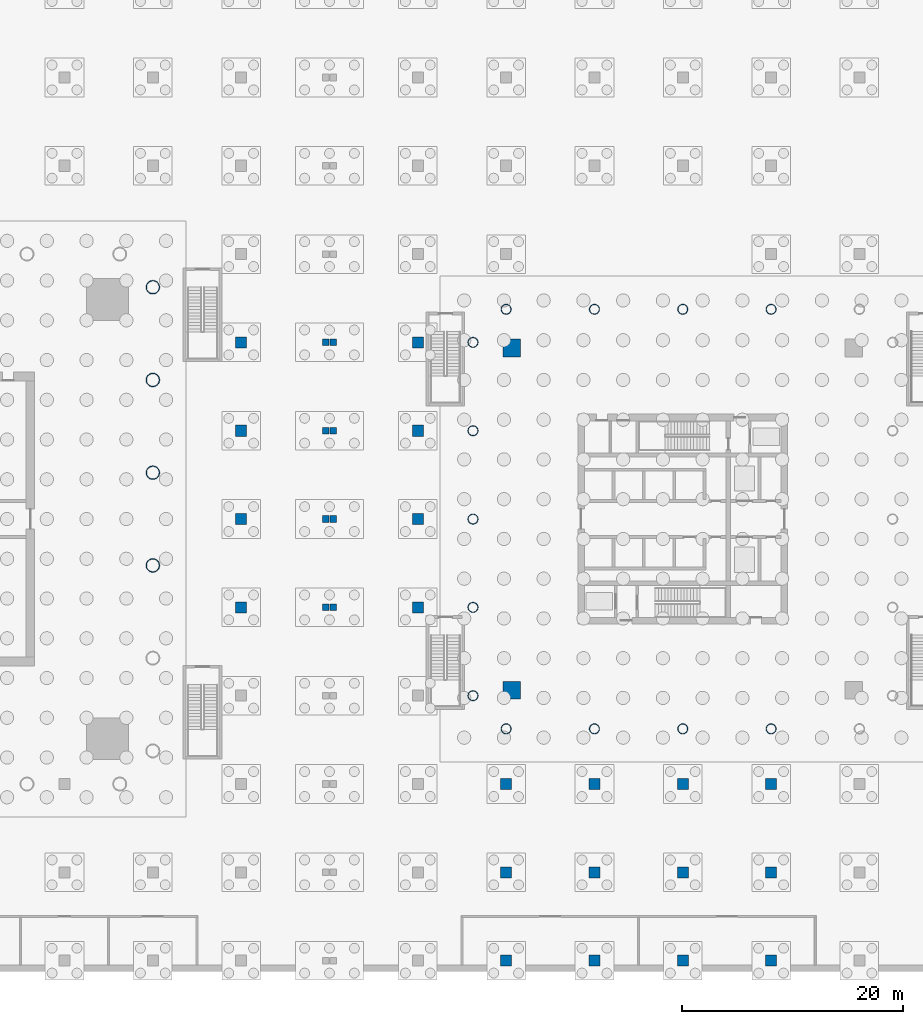
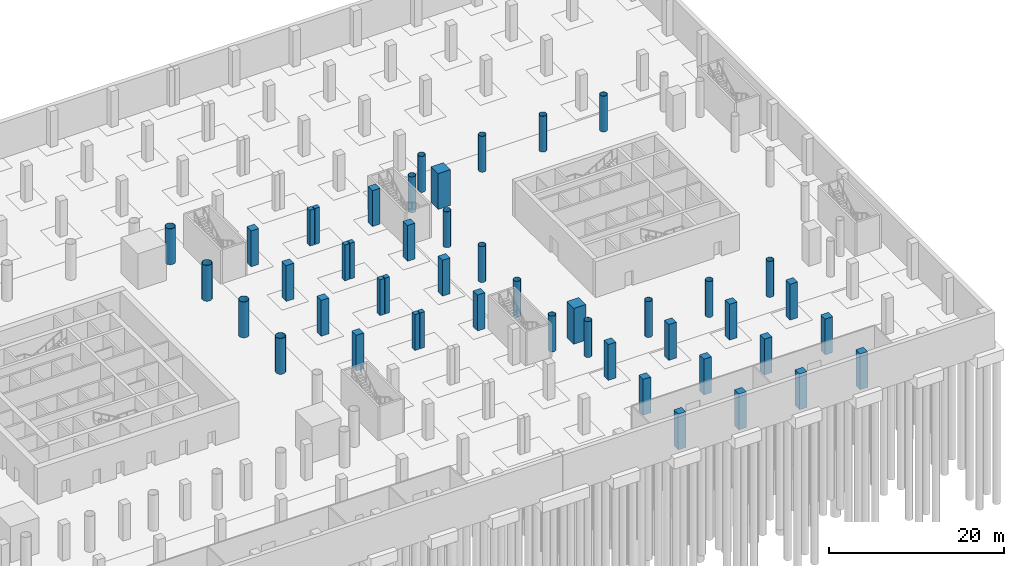
# One storey, part 6 of 24: 47 columns.
"""IFC4 building model written with IfcOpenShell, lengths in metres."""

from ifc_helpers import new_model, si_unit, direction, frame, origin, origin_2d, place, context, subcontext, project, spatial, rectangle, hollow_circle, extrude, material, material_profile, profile_set, type_object, element, save


model = new_model("IFC4")

# Units and contexts
model_context = context("Model", 3, precision=1e-05, world=origin(), true_north=direction((0.0, 1.0)))
body_context = subcontext(model_context, "Body", "Model", "MODEL_VIEW")
ifc_project = project(units=[si_unit("LENGTHUNIT", "METRE"), si_unit("AREAUNIT", "SQUARE_METRE"), si_unit("VOLUMEUNIT", "CUBIC_METRE"), si_unit("PLANEANGLEUNIT", "RADIAN"), si_unit("MASSUNIT", "GRAM", prefix="KILO")], contexts=[model_context])

# Site, building, storey
site_placement = place(None, origin())
site = spatial("IfcSite", under=ifc_project, at=site_placement, CompositionType="ELEMENT")
building_placement = place(site_placement, origin())
building = spatial("IfcBuilding", under=site, at=building_placement, Name="Ostroluk Exchange", CompositionType="ELEMENT")
storey_placement = place(building_placement, frame((0.0, 0.0, -10.0)))
storey = spatial("IfcBuildingStorey", under=building, at=storey_placement, Name="B2", CompositionType="ELEMENT", Elevation=-10.0)

# Columns
ifc_material_1 = material(Name="Concrete C50/60", Category="concrete")
ifc_material_profile_1 = material_profile(ifc_material_1, rectangle(XDim=1.60009765625, YDim=1.60009765625, at=origin_2d()), Name="RC 1600x1600")
ifc_profile_set_1 = profile_set([ifc_material_profile_1], Name="Concrete C50/60")
column_type_1 = type_object("IfcColumnType", Name="Mega column RC 1600x1600", PredefinedType="COLUMN", material=ifc_profile_set_1)
for number, where, z_axis, x_axis, name in (
    (1, (101.5, 61.5, 0.0), (0.0, 0.0, 1.0), (1.0, 0.0, 0.0), "T2 mega column NW"),
    (2, (101.5, 30.5, 0.0), (0.0, 0.0, 1.0), (1.0, 0.0, 0.0), "T2 mega column SW"),
):
    element("IfcColumn", number, at=place(storey_placement, frame(where, z_axis=z_axis, x_axis=x_axis)), inside=storey, type_object=column_type_1, Name=name, PredefinedType="COLUMN", context=body_context, shape_type="SweptSolid", body=[
        extrude(rectangle(XDim=1.60009765625, YDim=1.60009765625, at=origin_2d()), origin(), (0.0, 0.0, 1.0), 5.0),
    ])
ifc_material_2 = material(Name="Steel S460", Category="steel")
ifc_material_profile_2 = material_profile(ifc_material_2, hollow_circle(Radius=0.609619140625, WallThickness=0.0400390625, at=origin_2d()), Name="CHS 1219x40")
ifc_profile_set_2 = profile_set([ifc_material_profile_2], Name="Steel S460")
column_type_2 = type_object("IfcColumnType", Name="Perimeter column CHS 1219x40", PredefinedType="COLUMN", material=ifc_profile_set_2)
for number, where, z_axis, x_axis, name in (
    (3, (69.0, 67.0, 0.0), (0.0, 0.0, 1.0), (1.0, 0.0, 0.0), "T1 east face column E1"),
    (4, (69.0, 41.800048828125, 0.0), (0.0, 0.0, 1.0), (1.0, 0.0, 0.0), "T1 east face column I2"),
    (5, (69.0, 50.199951171875, 0.0), (0.0, 0.0, 1.0), (1.0, 0.0, 0.0), "T1 east face column I3"),
    (6, (69.0, 58.60009765625, 0.0), (0.0, 0.0, 1.0), (1.0, 0.0, 0.0), "T1 east face column I4"),
):
    element("IfcColumn", number, at=place(storey_placement, frame(where, z_axis=z_axis, x_axis=x_axis)), inside=storey, type_object=column_type_2, Name=name, PredefinedType="COLUMN", context=body_context, shape_type="SweptSolid", body=[
        extrude(hollow_circle(Radius=0.609619140625, WallThickness=0.0400390625, at=origin_2d()), origin(), (0.0, 0.0, 1.0), 5.0),
    ])
ifc_material_3 = material(Name="Steel S460", Category="steel")
ifc_material_profile_3 = material_profile(ifc_material_3, hollow_circle(Radius=0.45703125, WallThickness=0.030029296875, at=origin_2d()), Name="CHS 914x30")
ifc_profile_set_3 = profile_set([ifc_material_profile_3], Name="Steel S460")
column_type_3 = type_object("IfcColumnType", Name="Perimeter column CHS 914x30", PredefinedType="COLUMN", material=ifc_profile_set_3)
for number, where, z_axis, x_axis, name in (
    (7, (101.0, 65.0, 0.0), (0.0, 0.0, 1.0), (1.0, 0.0, 0.0), "T2 north face column E1"),
    (8, (125.0, 65.0, 0.0), (0.0, 0.0, 1.0), (1.0, 0.0, 0.0), "T2 north face column I1"),
    (9, (117.0, 65.0, 0.0), (0.0, 0.0, 1.0), (1.0, 0.0, 0.0), "T2 north face column I2"),
    (10, (109.0, 65.0, 0.0), (0.0, 0.0, 1.0), (1.0, 0.0, 0.0), "T2 north face column I3"),
    (11, (98.0, 62.0, 0.0), (0.0, 0.0, 1.0), (1.0, 0.0, 0.0), "T2 west face column E0"),
    (12, (98.0, 30.0, 0.0), (0.0, 0.0, 1.0), (1.0, 0.0, 0.0), "T2 west face column E1"),
    (13, (98.0, 54.0, 0.0), (0.0, 0.0, 1.0), (1.0, 0.0, 0.0), "T2 west face column I1"),
    (14, (98.0, 46.0, 0.0), (0.0, 0.0, 1.0), (1.0, 0.0, 0.0), "T2 west face column I2"),
    (15, (98.0, 38.0, 0.0), (0.0, 0.0, 1.0), (1.0, 0.0, 0.0), "T2 west face column I3"),
    (16, (101.0, 27.0, 0.0), (0.0, 0.0, 1.0), (1.0, 0.0, 0.0), "T2 south face column E0"),
    (17, (109.0, 27.0, 0.0), (0.0, 0.0, 1.0), (1.0, 0.0, 0.0), "T2 south face column I1"),
    (18, (117.0, 27.0, 0.0), (0.0, 0.0, 1.0), (1.0, 0.0, 0.0), "T2 south face column I2"),
    (19, (125.0, 27.0, 0.0), (0.0, 0.0, 1.0), (1.0, 0.0, 0.0), "T2 south face column I3"),
):
    element("IfcColumn", number, at=place(storey_placement, frame(where, z_axis=z_axis, x_axis=x_axis)), inside=storey, type_object=column_type_3, Name=name, PredefinedType="COLUMN", context=body_context, shape_type="SweptSolid", body=[
        extrude(hollow_circle(Radius=0.45703125, WallThickness=0.030029296875, at=origin_2d()), origin(), (0.0, 0.0, 1.0), 5.0),
    ])
ifc_material_4 = material(Name="Concrete C50/60", Category="concrete")
ifc_material_profile_4 = material_profile(ifc_material_4, rectangle(XDim=1.0, YDim=1.0, at=origin_2d()), Name="RC 1000x1000")
ifc_profile_set_4 = profile_set([ifc_material_profile_4], Name="Concrete C50/60")
column_type_4 = type_object("IfcColumnType", Name="Podium column RC 1000x1000", PredefinedType="COLUMN", material=ifc_profile_set_4)
for number, where, z_axis, x_axis, name in (
    (20, (77.0, 38.0, 0.0), (0.0, 0.0, 1.0), (1.0, 0.0, 0.0), "Podium column 77/38"),
    (21, (77.0, 46.0, 0.0), (0.0, 0.0, 1.0), (1.0, 0.0, 0.0), "Podium column 77/46"),
    (22, (77.0, 54.0, 0.0), (0.0, 0.0, 1.0), (1.0, 0.0, 0.0), "Podium column 77/54"),
    (23, (77.0, 62.0, 0.0), (0.0, 0.0, 1.0), (1.0, 0.0, 0.0), "Podium column 77/62"),
    (24, (93.0, 38.0, 0.0), (0.0, 0.0, 1.0), (1.0, 0.0, 0.0), "Podium column 93/38"),
    (25, (93.0, 46.0, 0.0), (0.0, 0.0, 1.0), (1.0, 0.0, 0.0), "Podium column 93/46"),
    (26, (93.0, 54.0, 0.0), (0.0, 0.0, 1.0), (1.0, 0.0, 0.0), "Podium column 93/54"),
    (27, (93.0, 62.0, 0.0), (0.0, 0.0, 1.0), (1.0, 0.0, 0.0), "Podium column 93/62"),
    (28, (101.0, 6.0, 0.0), (0.0, 0.0, 1.0), (1.0, 0.0, 0.0), "Podium column 101/6"),
    (29, (101.0, 14.0, 0.0), (0.0, 0.0, 1.0), (1.0, 0.0, 0.0), "Podium column 101/14"),
    (30, (101.0, 22.0, 0.0), (0.0, 0.0, 1.0), (1.0, 0.0, 0.0), "Podium column 101/22"),
    (31, (109.0, 6.0, 0.0), (0.0, 0.0, 1.0), (1.0, 0.0, 0.0), "Podium column 109/6"),
    (32, (109.0, 14.0, 0.0), (0.0, 0.0, 1.0), (1.0, 0.0, 0.0), "Podium column 109/14"),
    (33, (109.0, 22.0, 0.0), (0.0, 0.0, 1.0), (1.0, 0.0, 0.0), "Podium column 109/22"),
    (34, (117.0, 6.0, 0.0), (0.0, 0.0, 1.0), (1.0, 0.0, 0.0), "Podium column 117/6"),
    (35, (117.0, 14.0, 0.0), (0.0, 0.0, 1.0), (1.0, 0.0, 0.0), "Podium column 117/14"),
    (36, (117.0, 22.0, 0.0), (0.0, 0.0, 1.0), (1.0, 0.0, 0.0), "Podium column 117/22"),
    (37, (125.0, 6.0, 0.0), (0.0, 0.0, 1.0), (1.0, 0.0, 0.0), "Podium column 125/6"),
    (38, (125.0, 14.0, 0.0), (0.0, 0.0, 1.0), (1.0, 0.0, 0.0), "Podium column 125/14"),
    (39, (125.0, 22.0, 0.0), (0.0, 0.0, 1.0), (1.0, 0.0, 0.0), "Podium column 125/22"),
):
    element("IfcColumn", number, at=place(storey_placement, frame(where, z_axis=z_axis, x_axis=x_axis)), inside=storey, type_object=column_type_4, Name=name, PredefinedType="COLUMN", context=body_context, shape_type="SweptSolid", body=[
        extrude(rectangle(XDim=1.0, YDim=1.0, at=origin_2d()), origin(), (0.0, 0.0, 1.0), 5.0),
    ])
ifc_material_5 = material(Name="Concrete C50/60", Category="concrete")
ifc_material_profile_5 = material_profile(ifc_material_5, rectangle(XDim=0.60009765625, YDim=0.60009765625, at=origin_2d()), Name="RC 600x600")
ifc_profile_set_5 = profile_set([ifc_material_profile_5], Name="Concrete C50/60")
column_type_5 = type_object("IfcColumnType", Name="Podium column RC 600x600", PredefinedType="COLUMN", material=ifc_profile_set_5)
for number, where, z_axis, x_axis, name in (
    (40, (84.64990234375, 38.0, 0.0), (0.0, 0.0, 1.0), (1.0, 0.0, 0.0), "Podium column 85W/38"),
    (41, (85.35009765625, 38.0, 0.0), (0.0, 0.0, 1.0), (1.0, 0.0, 0.0), "Podium column 85E/38"),
    (42, (84.64990234375, 46.0, 0.0), (0.0, 0.0, 1.0), (1.0, 0.0, 0.0), "Podium column 85W/46"),
    (43, (85.35009765625, 46.0, 0.0), (0.0, 0.0, 1.0), (1.0, 0.0, 0.0), "Podium column 85E/46"),
    (44, (84.64990234375, 54.0, 0.0), (0.0, 0.0, 1.0), (1.0, 0.0, 0.0), "Podium column 85W/54"),
    (45, (85.35009765625, 54.0, 0.0), (0.0, 0.0, 1.0), (1.0, 0.0, 0.0), "Podium column 85E/54"),
    (46, (84.64990234375, 62.0, 0.0), (0.0, 0.0, 1.0), (1.0, 0.0, 0.0), "Podium column 85W/62"),
    (47, (85.35009765625, 62.0, 0.0), (0.0, 0.0, 1.0), (1.0, 0.0, 0.0), "Podium column 85E/62"),
):
    element("IfcColumn", number, at=place(storey_placement, frame(where, z_axis=z_axis, x_axis=x_axis)), inside=storey, type_object=column_type_5, Name=name, PredefinedType="COLUMN", context=body_context, shape_type="SweptSolid", body=[
        extrude(rectangle(XDim=0.60009765625, YDim=0.60009765625, at=origin_2d()), origin(), (0.0, 0.0, 1.0), 5.0),
    ])

save(model, "model.ifc")
